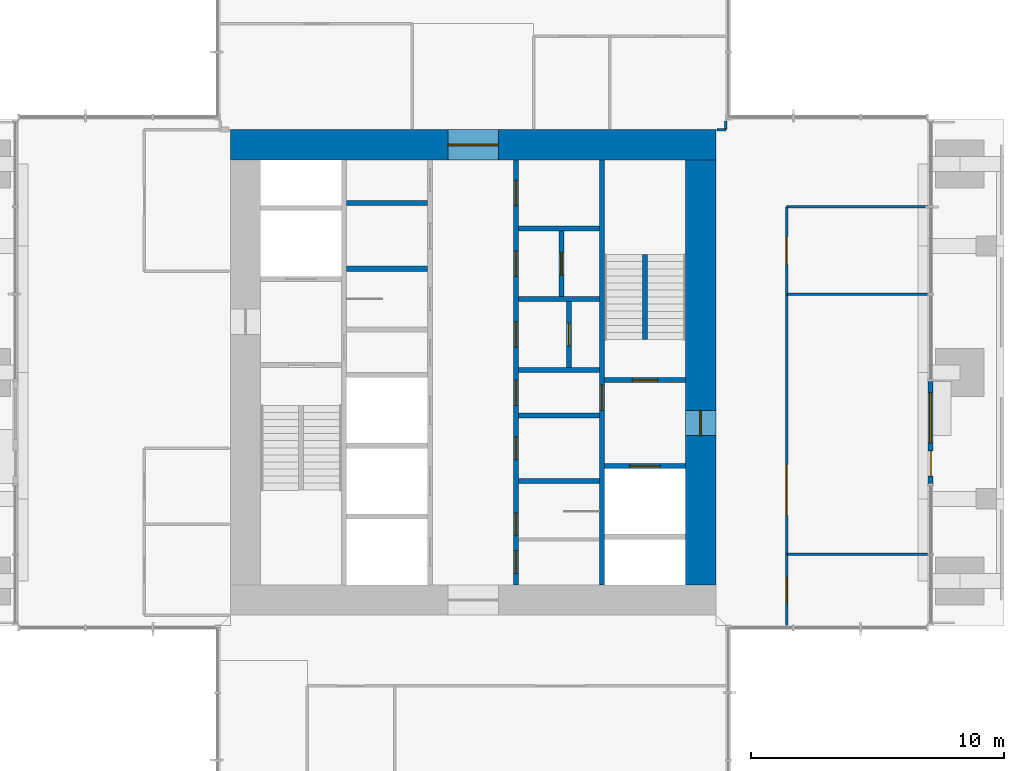
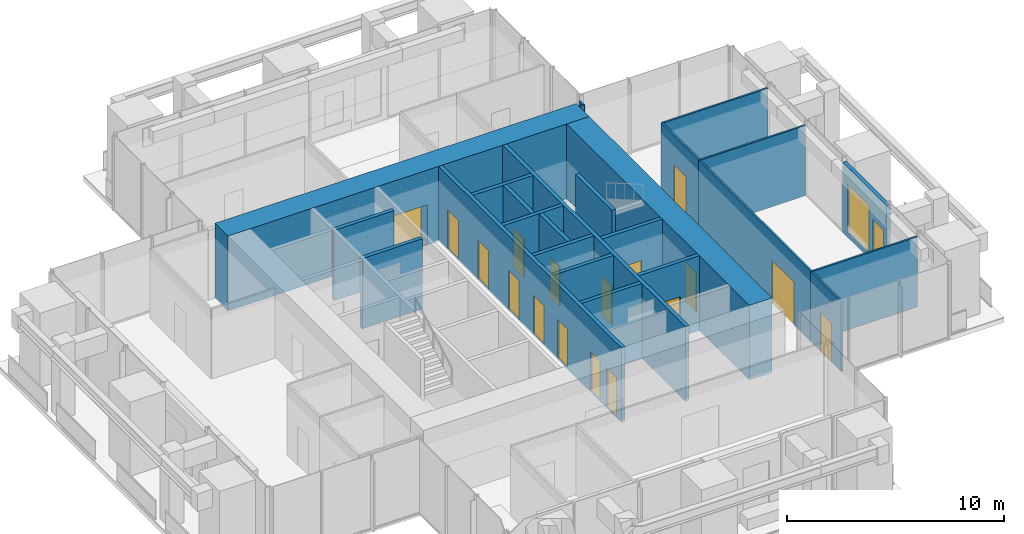
# One storey, part 8 of 12: 25 walls, 18 doors, 1 window, 19 openings.
"""IFC4 building model written with IfcOpenShell, lengths in metres."""

from ifc_helpers import new_model, si_unit, direction, frame, frame_2d, origin, place, context, subcontext, project, spatial, rectangle, extrude, material, layer, layer_set, type_object, element, fill, save


model = new_model("IFC4")

# Units and contexts
model_context = context("Model", 3, precision=1e-05, world=origin(), true_north=direction((0.0, 1.0)))
body_context = subcontext(model_context, "Body", "Model", "MODEL_VIEW")
ifc_project = project(units=[si_unit("LENGTHUNIT", "METRE"), si_unit("AREAUNIT", "SQUARE_METRE"), si_unit("VOLUMEUNIT", "CUBIC_METRE"), si_unit("PLANEANGLEUNIT", "RADIAN"), si_unit("MASSUNIT", "GRAM", prefix="KILO")], contexts=[model_context])

# Site, building, storey
site_placement = place(None, origin())
site = spatial("IfcSite", under=ifc_project, at=site_placement, CompositionType="ELEMENT")
building_placement = place(site_placement, origin())
building = spatial("IfcBuilding", under=site, at=building_placement, Name="Svetlomir Tower", CompositionType="ELEMENT")
storey_placement = place(building_placement, frame((0.0, 0.0, 260.800048828125)))
storey = spatial("IfcBuildingStorey", under=building, at=storey_placement, Name="L62", CompositionType="ELEMENT", Elevation=260.800048828125)

# Walls
ifc_material_1 = material(Name="Gypsum board on twin steel studs", Category="steel")
ifc_layer_1 = layer(ifc_material_1, 0.199951171875)
ifc_layer_set_1 = layer_set([ifc_layer_1], Name="Gypsum board on twin steel studs")
wall_type_1 = type_object("IfcWallType", Name="ACOUSTIC PARTITION 200", PredefinedType="PARTITIONING", material=ifc_layer_set_1)
for number, where, z_axis, x_axis, name in (
    (1, (16.0, 25.10009765625, 0.0), (0.0, 0.0, 1.0), (1.0, 0.0, 0.0), "Core cell partition 16-19.2/25.1 L62"),
    (2, (16.0, 27.699951171875, 0.0), (0.0, 0.0, 1.0), (1.0, 0.0, 0.0), "Core cell partition 16-19.2/27.7 L62"),
):
    element("IfcWall", number, at=place(storey_placement, frame(where, z_axis=z_axis, x_axis=x_axis)), inside=storey, type_object=wall_type_1, Name=name, PredefinedType="PARTITIONING", context=body_context, shape_type="SweptSolid", body=[
        extrude(rectangle(XDim=3.199951171875, YDim=0.199951171875, at=frame_2d((1.60009765625, 0.0))), origin(), (0.0, 0.0, 1.0), 3.949951171875),
    ])

# Wall, openings, door, window
ifc_material_2 = material(Name="Bronze anodised aluminium glazed screen", Category="aluminium")
ifc_layer_2 = layer(ifc_material_2, 0.199951171875)
ifc_layer_set_2 = layer_set([ifc_layer_2], Name="Bronze anodised aluminium glazed screen")
wall_type_2 = type_object("IfcWallType", Name="BALCONY SCREEN WALL 200", PredefinedType="USERDEFINED", material=ifc_layer_set_2)
wall_1_placement = place(storey_placement, frame((39.10009765625, 16.60009765625, 0.0), z_axis=(0.0, 0.0, 1.0), x_axis=(0.0, 1.0, 0.0)))
wall_1 = element("IfcWall", 3, at=wall_1_placement, inside=storey, type_object=wall_type_2, Name="Balcony screen E", ObjectType="GLAZED SCREEN", PredefinedType="USERDEFINED", context=body_context, shape_type="SweptSolid", body=[
    extrude(rectangle(XDim=4.0498046875, YDim=0.199951171875, at=frame_2d((2.02490234375, 0.0))), origin(), (0.0, 0.0, 1.0), 3.949951171875),
])
opening_1_placement = place(wall_1_placement, frame((0.300048828125, 0.0, 0.0)))
opening_1 = element("IfcOpeningElement", 4, at=opening_1_placement, cuts=wall_1, Name="Opening BD", PredefinedType="OPENING", context=body_context, shape_type="SweptSolid", body=[
    extrude(rectangle(XDim=1.0, YDim=2.39990234375, at=frame_2d((0.5, 1.199951171875))), frame((0.0, 0.10986328125, 0.0), z_axis=(0.0, -1.0, 0.0), x_axis=(1.0, 0.0, 0.0)), (0.0, 0.0, 1.0), 0.219970703125),
])
opening_2_placement = place(wall_1_placement, frame((1.60009765625, 0.0, 0.300048828125)))
opening_2 = element("IfcOpeningElement", 5, at=opening_2_placement, cuts=wall_1, Name="Opening WS", PredefinedType="OPENING", context=body_context, shape_type="SweptSolid", body=[
    extrude(rectangle(XDim=2.0, YDim=2.699951171875, at=frame_2d((1.0, 1.35009765625))), frame((0.0, 0.10986328125, 0.0), z_axis=(0.0, -1.0, 0.0), x_axis=(1.0, 0.0, 0.0)), (0.0, 0.0, 1.0), 0.219970703125),
])
ifc_material_3 = material(Name="Bronze anodised aluminium glazed door", Category="aluminium")
door_type_1 = type_object("IfcDoorType", Name="BALCONY DOOR BD 1000x2400", OperationType="SINGLE_SWING_LEFT", PredefinedType="DOOR", material=ifc_material_3)
door_1_placement = place(opening_1_placement, origin())
door_1 = element("IfcDoor", 6, at=door_1_placement, inside=storey, type_object=door_type_1, Name="Balcony screen E door", OperationType="SINGLE_SWING_LEFT", OverallHeight=2.39990234375, OverallWidth=1.0, PredefinedType="DOOR", context=body_context, shape_type="SweptSolid", body=[
    extrude(rectangle(XDim=1.0, YDim=2.39990234375, at=frame_2d((0.5, 1.199951171875))), frame((0.0, 0.02490234375, 0.0), z_axis=(0.0, -1.0, 0.0), x_axis=(1.0, 0.0, 0.0)), (0.0, 0.0, 1.0), 0.050048828125),
])
fill(opening_1, door_1)
ifc_material_4 = material(Name="Bronze anodised aluminium window", Category="aluminium")
window_type = type_object("IfcWindowType", Name="SCREEN WINDOW WS 2000x2700", PartitioningType="SINGLE_PANEL", PredefinedType="WINDOW", material=ifc_material_4)
window_placement = place(opening_2_placement, origin())
window = element("IfcWindow", 7, at=window_placement, inside=storey, type_object=window_type, Name="Balcony screen E window 1", OverallHeight=2.699951171875, OverallWidth=2.0, PartitioningType="SINGLE_PANEL", PredefinedType="WINDOW", context=body_context, shape_type="SweptSolid", body=[
    extrude(rectangle(XDim=2.0, YDim=2.699951171875, at=frame_2d((1.0, 1.35009765625))), frame((0.0, 0.030029296875, 0.0), z_axis=(0.0, -1.0, 0.0), x_axis=(1.0, 0.0, 0.0)), (0.0, 0.0, 1.0), 0.06005859375),
])
fill(opening_2, window)

# Wall, openings, doors
ifc_material_5 = material(Name="Concrete C60/75", Category="concrete")
ifc_layer_3 = layer(ifc_material_5, 0.199951171875)
ifc_layer_set_3 = layer_set([ifc_layer_3], Name="Concrete C60/75")
wall_type_3 = type_object("IfcWallType", Name="CORE INNER WALL 200", PredefinedType="SHEAR", material=ifc_layer_set_3)
wall_2_placement = place(storey_placement, frame((22.699951171875, 12.60009765625, -0.050048828125), z_axis=(0.0, 0.0, 1.0), x_axis=(0.0, 1.0, 0.0)))
wall_2 = element("IfcWall", 8, at=wall_2_placement, inside=storey, type_object=wall_type_3, Name="Core inner wall 22.7 L62", PredefinedType="SHEAR", context=body_context, shape_type="SweptSolid", body=[
    extrude(rectangle(XDim=16.7998046875, YDim=0.199951171875, at=frame_2d((8.39990234375, 0.0))), origin(), (0.0, 0.0, 1.0), 4.199951171875),
])
opening_3_placement = place(wall_2_placement, frame((0.449951171875, 0.0, 0.050048828125)))
opening_3 = element("IfcOpeningElement", 9, at=opening_3_placement, cuts=wall_2, Name="Opening DW", PredefinedType="OPENING", context=body_context, shape_type="SweptSolid", body=[
    extrude(rectangle(XDim=0.89990234375, YDim=2.199951171875, at=frame_2d((0.449951171875, 1.10009765625))), frame((0.0, 0.10986328125, 0.0), z_axis=(0.0, -1.0, 0.0), x_axis=(1.0, 0.0, 0.0)), (0.0, 0.0, 1.0), 0.219970703125),
])
opening_4_placement = place(wall_2_placement, frame((7.10009765625, 0.0, 0.050048828125)))
opening_4 = element("IfcOpeningElement", 10, at=opening_4_placement, cuts=wall_2, Name="Opening DC", PredefinedType="OPENING", context=body_context, shape_type="SweptSolid", body=[
    extrude(rectangle(XDim=1.0, YDim=2.199951171875, at=frame_2d((0.5, 1.10009765625))), frame((0.0, 0.10986328125, 0.0), z_axis=(0.0, -1.0, 0.0), x_axis=(1.0, 0.0, 0.0)), (0.0, 0.0, 1.0), 0.219970703125),
])
opening_5_placement = place(wall_2_placement, frame((1.949951171875, 0.0, 0.050048828125)))
opening_5 = element("IfcOpeningElement", 11, at=opening_5_placement, cuts=wall_2, Name="Opening DW", PredefinedType="OPENING", context=body_context, shape_type="SweptSolid", body=[
    extrude(rectangle(XDim=0.89990234375, YDim=2.199951171875, at=frame_2d((0.449951171875, 1.10009765625))), frame((0.0, 0.10986328125, 0.0), z_axis=(0.0, -1.0, 0.0), x_axis=(1.0, 0.0, 0.0)), (0.0, 0.0, 1.0), 0.219970703125),
])
opening_6_placement = place(wall_2_placement, frame((4.949951171875, 0.0, 0.050048828125)))
opening_6 = element("IfcOpeningElement", 12, at=opening_6_placement, cuts=wall_2, Name="Opening DW", PredefinedType="OPENING", context=body_context, shape_type="SweptSolid", body=[
    extrude(rectangle(XDim=0.89990234375, YDim=2.199951171875, at=frame_2d((0.449951171875, 1.10009765625))), frame((0.0, 0.10986328125, 0.0), z_axis=(0.0, -1.0, 0.0), x_axis=(1.0, 0.0, 0.0)), (0.0, 0.0, 1.0), 0.219970703125),
])
opening_7_placement = place(wall_2_placement, frame((9.39990234375, 0.0, 0.050048828125)))
opening_7 = element("IfcOpeningElement", 13, at=opening_7_placement, cuts=wall_2, Name="Opening DC", PredefinedType="OPENING", context=body_context, shape_type="SweptSolid", body=[
    extrude(rectangle(XDim=1.0, YDim=2.199951171875, at=frame_2d((0.5, 1.10009765625))), frame((0.0, 0.10986328125, 0.0), z_axis=(0.0, -1.0, 0.0), x_axis=(1.0, 0.0, 0.0)), (0.0, 0.0, 1.0), 0.219970703125),
])
opening_8_placement = place(wall_2_placement, frame((12.199951171875, 0.0, 0.050048828125)))
opening_8 = element("IfcOpeningElement", 14, at=opening_8_placement, cuts=wall_2, Name="Opening DC", PredefinedType="OPENING", context=body_context, shape_type="SweptSolid", body=[
    extrude(rectangle(XDim=1.0, YDim=2.199951171875, at=frame_2d((0.5, 1.10009765625))), frame((0.0, 0.10986328125, 0.0), z_axis=(0.0, -1.0, 0.0), x_axis=(1.0, 0.0, 0.0)), (0.0, 0.0, 1.0), 0.219970703125),
])
opening_9_placement = place(wall_2_placement, frame((15.0, 0.0, 0.050048828125)))
opening_9 = element("IfcOpeningElement", 15, at=opening_9_placement, cuts=wall_2, Name="Opening DC", PredefinedType="OPENING", context=body_context, shape_type="SweptSolid", body=[
    extrude(rectangle(XDim=1.0, YDim=2.199951171875, at=frame_2d((0.5, 1.10009765625))), frame((0.0, 0.10986328125, 0.0), z_axis=(0.0, -1.0, 0.0), x_axis=(1.0, 0.0, 0.0)), (0.0, 0.0, 1.0), 0.219970703125),
])
ifc_material_6 = material(Name="Timber fire door", Category="wood")
door_type_2 = type_object("IfcDoorType", Name="DOOR DC 1000x2200", OperationType="SINGLE_SWING_LEFT", PredefinedType="DOOR", material=ifc_material_6)
door_2_placement = place(opening_4_placement, origin())
door_2 = element("IfcDoor", 16, at=door_2_placement, inside=storey, type_object=door_type_2, Name="Core corridor east lobby door L62", OperationType="SINGLE_SWING_LEFT", OverallHeight=2.199951171875, OverallWidth=1.0, PredefinedType="DOOR", context=body_context, shape_type="SweptSolid", body=[
    extrude(rectangle(XDim=1.0, YDim=2.199951171875, at=frame_2d((0.5, 1.10009765625))), frame((0.0, 0.02490234375, 0.0), z_axis=(0.0, -1.0, 0.0), x_axis=(1.0, 0.0, 0.0)), (0.0, 0.0, 1.0), 0.050048828125),
])
fill(opening_4, door_2)
door_3_placement = place(opening_7_placement, origin())
door_3 = element("IfcDoor", 17, at=door_3_placement, inside=storey, type_object=door_type_2, Name="Converted shaft BANK-E1 room door L62", OperationType="SINGLE_SWING_LEFT", OverallHeight=2.199951171875, OverallWidth=1.0, PredefinedType="DOOR", context=body_context, shape_type="SweptSolid", body=[
    extrude(rectangle(XDim=1.0, YDim=2.199951171875, at=frame_2d((0.5, 1.10009765625))), frame((0.0, 0.02490234375, 0.0), z_axis=(0.0, -1.0, 0.0), x_axis=(1.0, 0.0, 0.0)), (0.0, 0.0, 1.0), 0.050048828125),
])
fill(opening_7, door_3)
door_4_placement = place(opening_8_placement, origin())
door_4 = element("IfcDoor", 18, at=door_4_placement, inside=storey, type_object=door_type_2, Name="Converted shaft BANK-E2 room door L62", OperationType="SINGLE_SWING_LEFT", OverallHeight=2.199951171875, OverallWidth=1.0, PredefinedType="DOOR", context=body_context, shape_type="SweptSolid", body=[
    extrude(rectangle(XDim=1.0, YDim=2.199951171875, at=frame_2d((0.5, 1.10009765625))), frame((0.0, 0.02490234375, 0.0), z_axis=(0.0, -1.0, 0.0), x_axis=(1.0, 0.0, 0.0)), (0.0, 0.0, 1.0), 0.050048828125),
])
fill(opening_8, door_4)
door_5_placement = place(opening_9_placement, origin())
door_5 = element("IfcDoor", 19, at=door_5_placement, inside=storey, type_object=door_type_2, Name="Converted shaft BANK-E3 room door L62", OperationType="SINGLE_SWING_LEFT", OverallHeight=2.199951171875, OverallWidth=1.0, PredefinedType="DOOR", context=body_context, shape_type="SweptSolid", body=[
    extrude(rectangle(XDim=1.0, YDim=2.199951171875, at=frame_2d((0.5, 1.10009765625))), frame((0.0, 0.02490234375, 0.0), z_axis=(0.0, -1.0, 0.0), x_axis=(1.0, 0.0, 0.0)), (0.0, 0.0, 1.0), 0.050048828125),
])
fill(opening_9, door_5)
ifc_material_7 = material(Name="Timber fire door", Category="wood")
door_type_3 = type_object("IfcDoorType", Name="DOOR DW 900x2200", OperationType="SINGLE_SWING_LEFT", PredefinedType="DOOR", material=ifc_material_7)
door_6_placement = place(opening_3_placement, origin())
door_6 = element("IfcDoor", 20, at=door_6_placement, inside=storey, type_object=door_type_3, Name="Floor store door L62", OperationType="SINGLE_SWING_LEFT", OverallHeight=2.199951171875, OverallWidth=0.89990234375, PredefinedType="DOOR", context=body_context, shape_type="SweptSolid", body=[
    extrude(rectangle(XDim=0.89990234375, YDim=2.199951171875, at=frame_2d((0.449951171875, 1.10009765625))), frame((0.0, 0.02490234375, 0.0), z_axis=(0.0, -1.0, 0.0), x_axis=(1.0, 0.0, 0.0)), (0.0, 0.0, 1.0), 0.050048828125),
])
fill(opening_3, door_6)
door_7_placement = place(opening_5_placement, origin())
door_7 = element("IfcDoor", 21, at=door_7_placement, inside=storey, type_object=door_type_3, Name="Male WC door L62", OperationType="SINGLE_SWING_LEFT", OverallHeight=2.199951171875, OverallWidth=0.89990234375, PredefinedType="DOOR", context=body_context, shape_type="SweptSolid", body=[
    extrude(rectangle(XDim=0.89990234375, YDim=2.199951171875, at=frame_2d((0.449951171875, 1.10009765625))), frame((0.0, 0.02490234375, 0.0), z_axis=(0.0, -1.0, 0.0), x_axis=(1.0, 0.0, 0.0)), (0.0, 0.0, 1.0), 0.050048828125),
])
fill(opening_5, door_7)
door_8_placement = place(opening_6_placement, origin())
door_8 = element("IfcDoor", 22, at=door_8_placement, inside=storey, type_object=door_type_3, Name="Comms room door L62", OperationType="SINGLE_SWING_RIGHT", OverallHeight=2.199951171875, OverallWidth=0.89990234375, PredefinedType="DOOR", context=body_context, shape_type="SweptSolid", body=[
    extrude(rectangle(XDim=0.89990234375, YDim=2.199951171875, at=frame_2d((0.449951171875, 1.10009765625))), frame((0.0, 0.02490234375, 0.0), z_axis=(0.0, -1.0, 0.0), x_axis=(1.0, 0.0, 0.0)), (0.0, 0.0, 1.0), 0.050048828125),
])
fill(opening_6, door_8)

# Wall, opening, door
wall_3_placement = place(storey_placement, frame((26.10009765625, 12.60009765625, -0.050048828125), z_axis=(0.0, 0.0, 1.0), x_axis=(0.0, 1.0, 0.0)))
wall_3 = element("IfcWall", 23, at=wall_3_placement, inside=storey, type_object=wall_type_3, Name="Core inner wall 26.1 L62", PredefinedType="SHEAR", context=body_context, shape_type="SweptSolid", body=[
    extrude(rectangle(XDim=16.7998046875, YDim=0.199951171875, at=frame_2d((8.39990234375, 0.0))), origin(), (0.0, 0.0, 1.0), 4.199951171875),
])
opening_10_placement = place(wall_3_placement, frame((6.89990234375, 0.0, 0.050048828125)))
opening_10 = element("IfcOpeningElement", 24, at=opening_10_placement, cuts=wall_3, Name="Opening DF", PredefinedType="OPENING", context=body_context, shape_type="SweptSolid", body=[
    extrude(rectangle(XDim=1.0, YDim=2.199951171875, at=frame_2d((0.5, 1.10009765625))), frame((0.0, 0.10986328125, 0.0), z_axis=(0.0, -1.0, 0.0), x_axis=(1.0, 0.0, 0.0)), (0.0, 0.0, 1.0), 0.219970703125),
])
ifc_material_8 = material(Name="Steel fire door", Category="steel")
door_type_4 = type_object("IfcDoorType", Name="DOOR DF 1000x2200", OperationType="SINGLE_SWING_LEFT", PredefinedType="DOOR", material=ifc_material_8)
door_9_placement = place(opening_10_placement, origin())
door_9 = element("IfcDoor", 25, at=door_9_placement, inside=storey, type_object=door_type_4, Name="Core corridor east door L62", OperationType="SINGLE_SWING_LEFT", OverallHeight=2.199951171875, OverallWidth=1.0, PredefinedType="DOOR", context=body_context, shape_type="SweptSolid", body=[
    extrude(rectangle(XDim=1.0, YDim=2.199951171875, at=frame_2d((0.5, 1.10009765625))), frame((0.0, 0.02490234375, 0.0), z_axis=(0.0, -1.0, 0.0), x_axis=(1.0, 0.0, 0.0)), (0.0, 0.0, 1.0), 0.050048828125),
])
fill(opening_10, door_9)

# Walls
for number, where, z_axis, x_axis, name in (
    (26, (22.800048828125, 16.699951171875, -0.050048828125), (0.0, 0.0, 1.0), (1.0, 0.0, 0.0), "Core inner wall 22.8-26/16.7 L62"),
    (27, (22.800048828125, 19.300048828125, -0.050048828125), (0.0, 0.0, 1.0), (1.0, 0.0, 0.0), "Core inner wall 22.8-26/19.3 L62"),
    (28, (22.800048828125, 21.10009765625, -0.050048828125), (0.0, 0.0, 1.0), (1.0, 0.0, 0.0), "Core inner wall 22.8-26/21.1 L62"),
    (29, (22.800048828125, 23.89990234375, -0.050048828125), (0.0, 0.0, 1.0), (1.0, 0.0, 0.0), "Core inner wall 22.8-26/23.9 L62"),
    (30, (22.800048828125, 26.699951171875, -0.050048828125), (0.0, 0.0, 1.0), (1.0, 0.0, 0.0), "Core inner wall 22.8-26/26.7 L62"),
):
    element("IfcWall", number, at=place(storey_placement, frame(where, z_axis=z_axis, x_axis=x_axis)), inside=storey, type_object=wall_type_3, Name=name, PredefinedType="SHEAR", context=body_context, shape_type="SweptSolid", body=[
        extrude(rectangle(XDim=3.199951171875, YDim=0.199951171875, at=frame_2d((1.60009765625, 0.0))), origin(), (0.0, 0.0, 1.0), 4.199951171875),
    ])

# Wall, opening, door
wall_4_placement = place(storey_placement, frame((26.199951171875, 17.300048828125, -0.050048828125), z_axis=(0.0, 0.0, 1.0), x_axis=(1.0, 0.0, 0.0)))
wall_4 = element("IfcWall", 31, at=wall_4_placement, inside=storey, type_object=wall_type_3, Name="Core inner wall 26.2-29.4/17.3 L62", PredefinedType="SHEAR", context=body_context, shape_type="SweptSolid", body=[
    extrude(rectangle(XDim=3.199951171875, YDim=0.199951171875, at=frame_2d((1.60009765625, 0.0))), origin(), (0.0, 0.0, 1.0), 4.199951171875),
])
opening_11_placement = place(wall_4_placement, frame((1.0, 0.0, 0.050048828125)))
opening_11 = element("IfcOpeningElement", 32, at=opening_11_placement, cuts=wall_4, Name="Opening LD3", PredefinedType="OPENING", context=body_context, shape_type="SweptSolid", body=[
    extrude(rectangle(XDim=1.199951171875, YDim=2.199951171875, at=frame_2d((0.60009765625, 1.10009765625))), frame((0.0, 0.10986328125, 0.0), z_axis=(0.0, -1.0, 0.0), x_axis=(1.0, 0.0, 0.0)), (0.0, 0.0, 1.0), 0.219970703125),
])
ifc_material_9 = material(Name="Stainless steel fire-rated landing door", Category="steel")
door_type_5 = type_object("IfcDoorType", Name="FIREFIGHTING LIFT LANDING DOOR LD3 1200x2200", OperationType="DOUBLE_DOOR_SLIDING", PredefinedType="DOOR", material=ifc_material_9)
door_10_placement = place(opening_11_placement, origin())
door_10 = element("IfcDoor", 33, at=door_10_placement, inside=storey, type_object=door_type_5, Name="Landing door lift FL2 L62", OperationType="DOUBLE_DOOR_SLIDING", OverallHeight=2.199951171875, OverallWidth=1.199951171875, PredefinedType="DOOR", context=body_context, shape_type="SweptSolid", body=[
    extrude(rectangle(XDim=1.199951171875, YDim=2.199951171875, at=frame_2d((0.60009765625, 1.10009765625))), frame((0.0, 0.02490234375, 0.0), z_axis=(0.0, -1.0, 0.0), x_axis=(1.0, 0.0, 0.0)), (0.0, 0.0, 1.0), 0.050048828125),
])
fill(opening_11, door_10)

wall_5_placement = place(storey_placement, frame((26.199951171875, 20.699951171875, -0.050048828125), z_axis=(0.0, 0.0, 1.0), x_axis=(1.0, 0.0, 0.0)))
wall_5 = element("IfcWall", 34, at=wall_5_placement, inside=storey, type_object=wall_type_3, Name="Core inner wall 26.2-29.4/20.7 L62", PredefinedType="SHEAR", context=body_context, shape_type="SweptSolid", body=[
    extrude(rectangle(XDim=3.199951171875, YDim=0.199951171875, at=frame_2d((1.60009765625, 0.0))), origin(), (0.0, 0.0, 1.0), 4.199951171875),
])
opening_12_placement = place(wall_5_placement, frame((1.10009765625, 0.0, 0.050048828125)))
opening_12 = element("IfcOpeningElement", 35, at=opening_12_placement, cuts=wall_5, Name="Opening DF", PredefinedType="OPENING", context=body_context, shape_type="SweptSolid", body=[
    extrude(rectangle(XDim=1.0, YDim=2.199951171875, at=frame_2d((0.5, 1.10009765625))), frame((0.0, 0.10986328125, 0.0), z_axis=(0.0, -1.0, 0.0), x_axis=(1.0, 0.0, 0.0)), (0.0, 0.0, 1.0), 0.219970703125),
])
door_11_placement = place(opening_12_placement, origin())
door_11 = element("IfcDoor", 36, at=door_11_placement, inside=storey, type_object=door_type_4, Name="Stair S2 door L62", OperationType="SINGLE_SWING_LEFT", OverallHeight=2.199951171875, OverallWidth=1.0, PredefinedType="DOOR", context=body_context, shape_type="SweptSolid", body=[
    extrude(rectangle(XDim=1.0, YDim=2.199951171875, at=frame_2d((0.5, 1.10009765625))), frame((0.0, 0.02490234375, 0.0), z_axis=(0.0, -1.0, 0.0), x_axis=(1.0, 0.0, 0.0)), (0.0, 0.0, 1.0), 0.050048828125),
])
fill(opening_12, door_11)

wall_6_placement = place(storey_placement, frame((24.800048828125, 21.199951171875, -0.050048828125), z_axis=(0.0, 0.0, 1.0), x_axis=(0.0, 1.0, 0.0)))
wall_6 = element("IfcWall", 37, at=wall_6_placement, inside=storey, type_object=wall_type_3, Name="Core inner wall 24.8/21.2-23.8 L62", PredefinedType="SHEAR", context=body_context, shape_type="SweptSolid", body=[
    extrude(rectangle(XDim=2.60009765625, YDim=0.199951171875, at=frame_2d((1.300048828125, 0.0))), origin(), (0.0, 0.0, 1.0), 4.199951171875),
])
opening_13_placement = place(wall_6_placement, frame((0.85009765625, 0.0, 0.050048828125)))
opening_13 = element("IfcOpeningElement", 38, at=opening_13_placement, cuts=wall_6, Name="Opening DW", PredefinedType="OPENING", context=body_context, shape_type="SweptSolid", body=[
    extrude(rectangle(XDim=0.89990234375, YDim=2.199951171875, at=frame_2d((0.449951171875, 1.10009765625))), frame((0.0, 0.10986328125, 0.0), z_axis=(0.0, -1.0, 0.0), x_axis=(1.0, 0.0, 0.0)), (0.0, 0.0, 1.0), 0.219970703125),
])
door_12_placement = place(opening_13_placement, origin())
door_12 = element("IfcDoor", 39, at=door_12_placement, inside=storey, type_object=door_type_3, Name="Converted shaft BANK-E1 back room door L62", OperationType="SINGLE_SWING_RIGHT", OverallHeight=2.199951171875, OverallWidth=0.89990234375, PredefinedType="DOOR", context=body_context, shape_type="SweptSolid", body=[
    extrude(rectangle(XDim=0.89990234375, YDim=2.199951171875, at=frame_2d((0.449951171875, 1.10009765625))), frame((0.0, 0.02490234375, 0.0), z_axis=(0.0, -1.0, 0.0), x_axis=(1.0, 0.0, 0.0)), (0.0, 0.0, 1.0), 0.050048828125),
])
fill(opening_13, door_12)

wall_7_placement = place(storey_placement, frame((24.5, 24.0, -0.050048828125), z_axis=(0.0, 0.0, 1.0), x_axis=(0.0, 1.0, 0.0)))
wall_7 = element("IfcWall", 40, at=wall_7_placement, inside=storey, type_object=wall_type_3, Name="Core inner wall 24.5/24-26.6 L62", PredefinedType="SHEAR", context=body_context, shape_type="SweptSolid", body=[
    extrude(rectangle(XDim=2.60009765625, YDim=0.199951171875, at=frame_2d((1.300048828125, 0.0))), origin(), (0.0, 0.0, 1.0), 4.199951171875),
])
opening_14_placement = place(wall_7_placement, frame((0.85009765625, 0.0, 0.050048828125)))
opening_14 = element("IfcOpeningElement", 41, at=opening_14_placement, cuts=wall_7, Name="Opening DW", PredefinedType="OPENING", context=body_context, shape_type="SweptSolid", body=[
    extrude(rectangle(XDim=0.89990234375, YDim=2.199951171875, at=frame_2d((0.449951171875, 1.10009765625))), frame((0.0, 0.10986328125, 0.0), z_axis=(0.0, -1.0, 0.0), x_axis=(1.0, 0.0, 0.0)), (0.0, 0.0, 1.0), 0.219970703125),
])
door_13_placement = place(opening_14_placement, origin())
door_13 = element("IfcDoor", 42, at=door_13_placement, inside=storey, type_object=door_type_3, Name="Converted shaft BANK-E2 back room door L62", OperationType="SINGLE_SWING_RIGHT", OverallHeight=2.199951171875, OverallWidth=0.89990234375, PredefinedType="DOOR", context=body_context, shape_type="SweptSolid", body=[
    extrude(rectangle(XDim=0.89990234375, YDim=2.199951171875, at=frame_2d((0.449951171875, 1.10009765625))), frame((0.0, 0.02490234375, 0.0), z_axis=(0.0, -1.0, 0.0), x_axis=(1.0, 0.0, 0.0)), (0.0, 0.0, 1.0), 0.050048828125),
])
fill(opening_14, door_13)

ifc_material_10 = material(Name="Concrete C60/75", Category="concrete")
ifc_layer_4 = layer(ifc_material_10, 1.199951171875)
ifc_layer_set_4 = layer_set([ifc_layer_4], Name="Concrete C60/75")
wall_type_4 = type_object("IfcWallType", Name="CORE WALL 1200", PredefinedType="SHEAR", material=ifc_layer_set_4)
wall_8_placement = place(storey_placement, frame((11.39990234375, 30.0, -0.050048828125), z_axis=(0.0, 0.0, 1.0), x_axis=(1.0, 0.0, 0.0)))
wall_8 = element("IfcWall", 43, at=wall_8_placement, inside=storey, type_object=wall_type_4, Name="Core wall north L62", PredefinedType="SHEAR", context=body_context, shape_type="SweptSolid", body=[
    extrude(rectangle(XDim=19.2001953125, YDim=1.199951171875, at=frame_2d((9.60009765625, 0.0))), origin(), (0.0, 0.0, 1.0), 4.199951171875),
])
opening_15_placement = place(wall_8_placement, frame((8.60009765625, 0.0, 0.050048828125)))
opening_15 = element("IfcOpeningElement", 44, at=opening_15_placement, cuts=wall_8, Name="Opening DL", PredefinedType="OPENING", context=body_context, shape_type="SweptSolid", body=[
    extrude(rectangle(XDim=2.0, YDim=2.199951171875, at=frame_2d((1.0, 1.10009765625))), frame((0.0, 0.60986328125, 0.0), z_axis=(0.0, -1.0, 0.0), x_axis=(1.0, 0.0, 0.0)), (0.0, 0.0, 1.0), 1.219970703125),
])
ifc_material_11 = material(Name="Steel fire door", Category="steel")
door_type_6 = type_object("IfcDoorType", Name="DOOR DL 2000x2200", OperationType="DOUBLE_DOOR_SINGLE_SWING", PredefinedType="DOOR", material=ifc_material_11)
door_14_placement = place(opening_15_placement, origin())
door_14 = element("IfcDoor", 45, at=door_14_placement, inside=storey, type_object=door_type_6, Name="Lift lobby north door L62", OperationType="DOUBLE_DOOR_SINGLE_SWING", OverallHeight=2.199951171875, OverallWidth=2.0, PredefinedType="DOOR", context=body_context, shape_type="SweptSolid", body=[
    extrude(rectangle(XDim=2.0, YDim=2.199951171875, at=frame_2d((1.0, 1.10009765625))), frame((0.0, 0.02490234375, 0.0), z_axis=(0.0, -1.0, 0.0), x_axis=(1.0, 0.0, 0.0)), (0.0, 0.0, 1.0), 0.050048828125),
])
fill(opening_15, door_14)

wall_9_placement = place(storey_placement, frame((30.0, 12.60009765625, -0.050048828125), z_axis=(0.0, 0.0, 1.0), x_axis=(0.0, 1.0, 0.0)))
wall_9 = element("IfcWall", 46, at=wall_9_placement, inside=storey, type_object=wall_type_4, Name="Core wall east L62", PredefinedType="SHEAR", context=body_context, shape_type="SweptSolid", body=[
    extrude(rectangle(XDim=16.7998046875, YDim=1.199951171875, at=frame_2d((8.39990234375, 0.0))), origin(), (0.0, 0.0, 1.0), 4.199951171875),
])
opening_16_placement = place(wall_9_placement, frame((5.89990234375, 0.0, 0.050048828125)))
opening_16 = element("IfcOpeningElement", 47, at=opening_16_placement, cuts=wall_9, Name="Opening DF", PredefinedType="OPENING", context=body_context, shape_type="SweptSolid", body=[
    extrude(rectangle(XDim=1.0, YDim=2.199951171875, at=frame_2d((0.5, 1.10009765625))), frame((0.0, 0.60986328125, 0.0), z_axis=(0.0, -1.0, 0.0), x_axis=(1.0, 0.0, 0.0)), (0.0, 0.0, 1.0), 1.219970703125),
])
door_15_placement = place(opening_16_placement, origin())
door_15 = element("IfcDoor", 48, at=door_15_placement, inside=storey, type_object=door_type_4, Name="Firefighting lobby east door L62", OperationType="SINGLE_SWING_LEFT", OverallHeight=2.199951171875, OverallWidth=1.0, PredefinedType="DOOR", context=body_context, shape_type="SweptSolid", body=[
    extrude(rectangle(XDim=1.0, YDim=2.199951171875, at=frame_2d((0.5, 1.10009765625))), frame((0.0, 0.02490234375, 0.0), z_axis=(0.0, -1.0, 0.0), x_axis=(1.0, 0.0, 0.0)), (0.0, 0.0, 1.0), 0.050048828125),
])
fill(opening_16, door_15)

# Walls
ifc_material_12 = material(Name="Framed laminated glass partition", Category="glass")
ifc_layer_5 = layer(ifc_material_12, 0.10009765625)
ifc_layer_set_5 = layer_set([ifc_layer_5], Name="Framed laminated glass partition")
wall_type_5 = type_object("IfcWallType", Name="GLAZED PARTITION 100", PredefinedType="PARTITIONING", material=ifc_layer_set_5)
wall_10_placement = place(storey_placement, frame((30.64990234375, 30.60009765625, 0.0), z_axis=(0.0, 0.0, 1.0), x_axis=(1.0, 0.0, 0.0)))
element("IfcWall", 49, at=wall_10_placement, inside=storey, type_object=wall_type_5, Name="Partition L62", PredefinedType="PARTITIONING", context=body_context, shape_type="SweptSolid", body=[
    extrude(rectangle(XDim=0.35009765625, YDim=0.10009765625, at=frame_2d((0.175048828125, 0.0))), origin(), (0.0, 0.0, 1.0), 3.949951171875),
])
wall_11_placement = place(storey_placement, frame((31.0, 30.60009765625, 0.0), z_axis=(0.0, 0.0, 1.0), x_axis=(0.0, 1.0, 0.0)))
element("IfcWall", 50, at=wall_11_placement, inside=storey, type_object=wall_type_5, Name="Partition L62", PredefinedType="PARTITIONING", context=body_context, shape_type="SweptSolid", body=[
    extrude(rectangle(XDim=0.349853515625, YDim=0.10009765625, at=frame_2d((0.1748046875, 0.0))), origin(), (0.0, 0.0, 1.0), 3.949951171875),
])

# Wall, opening, door
wall_12_placement = place(storey_placement, frame((33.39990234375, 11.0, 0.0), z_axis=(0.0, 0.0, 1.0), x_axis=(0.0, 1.0, 0.0)))
wall_12 = element("IfcWall", 51, at=wall_12_placement, inside=storey, type_object=wall_type_5, Name="Glazed partition L62", PredefinedType="PARTITIONING", context=body_context, shape_type="SweptSolid", body=[
    extrude(rectangle(XDim=2.800048828125, YDim=0.10009765625, at=frame_2d((1.39990234375, 0.0))), origin(), (0.0, 0.0, 1.0), 3.949951171875),
])
opening_17_placement = place(wall_12_placement, frame((0.89990234375, 0.0, 0.0)))
opening_17 = element("IfcOpeningElement", 52, at=opening_17_placement, cuts=wall_12, Name="Opening DR", PredefinedType="OPENING", context=body_context, shape_type="SweptSolid", body=[
    extrude(rectangle(XDim=1.0, YDim=2.199951171875, at=frame_2d((0.5, 1.10009765625))), frame((0.0, 0.06005859375, 0.0), z_axis=(0.0, -1.0, 0.0), x_axis=(1.0, 0.0, 0.0)), (0.0, 0.0, 1.0), 0.1201171875),
])
ifc_material_13 = material(Name="Timber door, glazed side light", Category="wood")
door_type_7 = type_object("IfcDoorType", Name="DOOR DR 1000x2200", OperationType="SINGLE_SWING_LEFT", PredefinedType="DOOR", material=ifc_material_13)
door_16_placement = place(opening_17_placement, origin())
door_16 = element("IfcDoor", 53, at=door_16_placement, inside=storey, type_object=door_type_7, Name="Board pantry door L62", OperationType="SINGLE_SWING_RIGHT", OverallHeight=2.199951171875, OverallWidth=1.0, PredefinedType="DOOR", context=body_context, shape_type="SweptSolid", body=[
    extrude(rectangle(XDim=1.0, YDim=2.199951171875, at=frame_2d((0.5, 1.10009765625))), frame((0.0, 0.02490234375, 0.0), z_axis=(0.0, -1.0, 0.0), x_axis=(1.0, 0.0, 0.0)), (0.0, 0.0, 1.0), 0.050048828125),
])
fill(opening_17, door_16)

wall_13_placement = place(storey_placement, frame((33.39990234375, 13.800048828125, 0.0), z_axis=(0.0, 0.0, 1.0), x_axis=(0.0, 1.0, 0.0)))
wall_13 = element("IfcWall", 54, at=wall_13_placement, inside=storey, type_object=wall_type_5, Name="Partition L62", PredefinedType="PARTITIONING", context=body_context, shape_type="SweptSolid", body=[
    extrude(rectangle(XDim=10.300048828125, YDim=0.10009765625, at=frame_2d((5.14990234375, 0.0))), origin(), (0.0, 0.0, 1.0), 3.949951171875),
])
opening_18_placement = place(wall_13_placement, frame((1.550048828125, 0.0, 0.0)))
opening_18 = element("IfcOpeningElement", 55, at=opening_18_placement, cuts=wall_13, Name="Opening DX", PredefinedType="OPENING", context=body_context, shape_type="SweptSolid", body=[
    extrude(rectangle(XDim=2.0, YDim=2.39990234375, at=frame_2d((1.0, 1.199951171875))), frame((0.0, 0.06005859375, 0.0), z_axis=(0.0, -1.0, 0.0), x_axis=(1.0, 0.0, 0.0)), (0.0, 0.0, 1.0), 0.1201171875),
])
ifc_material_14 = material(Name="Walnut veneered timber door", Category="wood")
door_type_8 = type_object("IfcDoorType", Name="DOUBLE DOOR DX 2000x2400", OperationType="DOUBLE_DOOR_SINGLE_SWING", PredefinedType="DOOR", material=ifc_material_14)
door_17_placement = place(opening_18_placement, origin())
door_17 = element("IfcDoor", 56, at=door_17_placement, inside=storey, type_object=door_type_8, Name="Board dining room door L62", OperationType="DOUBLE_DOOR_SINGLE_SWING", OverallHeight=2.39990234375, OverallWidth=2.0, PredefinedType="DOOR", context=body_context, shape_type="SweptSolid", body=[
    extrude(rectangle(XDim=2.0, YDim=2.39990234375, at=frame_2d((1.0, 1.199951171875))), frame((0.0, 0.02490234375, 0.0), z_axis=(0.0, -1.0, 0.0), x_axis=(1.0, 0.0, 0.0)), (0.0, 0.0, 1.0), 0.050048828125),
])
fill(opening_18, door_17)

# Wall
wall_14_placement = place(storey_placement, frame((33.39990234375, 13.800048828125, 0.0), z_axis=(0.0, 0.0, 1.0), x_axis=(1.0, 0.0, 0.0)))
element("IfcWall", 57, at=wall_14_placement, inside=storey, type_object=wall_type_5, Name="Partition L62", PredefinedType="PARTITIONING", context=body_context, shape_type="SweptSolid", body=[
    extrude(rectangle(XDim=5.60009765625, YDim=0.10009765625, at=frame_2d((2.800048828125, 0.0))), origin(), (0.0, 0.0, 1.0), 3.949951171875),
])

# Wall, opening, door
wall_15_placement = place(storey_placement, frame((33.39990234375, 24.10009765625, 0.0), z_axis=(0.0, 0.0, 1.0), x_axis=(0.0, 1.0, 0.0)))
wall_15 = element("IfcWall", 58, at=wall_15_placement, inside=storey, type_object=wall_type_5, Name="Partition L62", PredefinedType="PARTITIONING", context=body_context, shape_type="SweptSolid", body=[
    extrude(rectangle(XDim=3.449951171875, YDim=0.10009765625, at=frame_2d((1.72509765625, 0.0))), origin(), (0.0, 0.0, 1.0), 3.949951171875),
])
opening_19_placement = place(wall_15_placement, frame((1.175048828125, 0.0, 0.0)))
opening_19 = element("IfcOpeningElement", 59, at=opening_19_placement, cuts=wall_15, Name="Opening DE", PredefinedType="OPENING", context=body_context, shape_type="SweptSolid", body=[
    extrude(rectangle(XDim=1.10009765625, YDim=2.300048828125, at=frame_2d((0.550048828125, 1.14990234375))), frame((0.0, 0.06005859375, 0.0), z_axis=(0.0, -1.0, 0.0), x_axis=(1.0, 0.0, 0.0)), (0.0, 0.0, 1.0), 0.1201171875),
])
ifc_material_15 = material(Name="Walnut veneered timber door", Category="wood")
door_type_9 = type_object("IfcDoorType", Name="DOOR DE 1100x2300", OperationType="SINGLE_SWING_LEFT", PredefinedType="DOOR", material=ifc_material_15)
door_18_placement = place(opening_19_placement, origin())
door_18 = element("IfcDoor", 60, at=door_18_placement, inside=storey, type_object=door_type_9, Name="Executive office - Company secretary door L62", OperationType="SINGLE_SWING_RIGHT", OverallHeight=2.300048828125, OverallWidth=1.10009765625, PredefinedType="DOOR", context=body_context, shape_type="SweptSolid", body=[
    extrude(rectangle(XDim=1.10009765625, YDim=2.300048828125, at=frame_2d((0.550048828125, 1.14990234375))), frame((0.0, 0.02490234375, 0.0), z_axis=(0.0, -1.0, 0.0), x_axis=(1.0, 0.0, 0.0)), (0.0, 0.0, 1.0), 0.050048828125),
])
fill(opening_19, door_18)

# Walls
for number, where, z_axis, x_axis, name in (
    (61, (33.39990234375, 24.10009765625, 0.0), (0.0, 0.0, 1.0), (1.0, 0.0, 0.0), "Partition L62"),
    (62, (33.39990234375, 27.550048828125, 0.0), (0.0, 0.0, 1.0), (1.0, 0.0, 0.0), "Partition L62"),
):
    element("IfcWall", number, at=place(storey_placement, frame(where, z_axis=z_axis, x_axis=x_axis)), inside=storey, type_object=wall_type_5, Name=name, PredefinedType="PARTITIONING", context=body_context, shape_type="SweptSolid", body=[
        extrude(rectangle(XDim=5.60009765625, YDim=0.10009765625, at=frame_2d((2.800048828125, 0.0))), origin(), (0.0, 0.0, 1.0), 3.949951171875),
    ])
ifc_material_16 = material(Name="Concrete C60/75", Category="concrete")
ifc_layer_6 = layer(ifc_material_16, 0.199951171875)
ifc_layer_set_6 = layer_set([ifc_layer_6], Name="Concrete C60/75")
wall_type_6 = type_object("IfcWallType", Name="STAIR SPINE WALL 200", PredefinedType="PARTITIONING", material=ifc_layer_set_6)
wall_16_placement = place(storey_placement, frame((27.800048828125, 22.300048828125, 0.0), z_axis=(0.0, 0.0, 1.0), x_axis=(0.0, 1.0, 0.0)))
element("IfcWall", 63, at=wall_16_placement, inside=storey, type_object=wall_type_6, Name="Stair S2 spine wall L62", PredefinedType="PARTITIONING", context=body_context, shape_type="SweptSolid", body=[
    extrude(rectangle(XDim=3.35986328125, YDim=0.199951171875, at=frame_2d((1.679931640625, 0.0))), origin(), (0.0, 0.0, 1.0), 4.199951171875),
])

save(model, "model.ifc")
